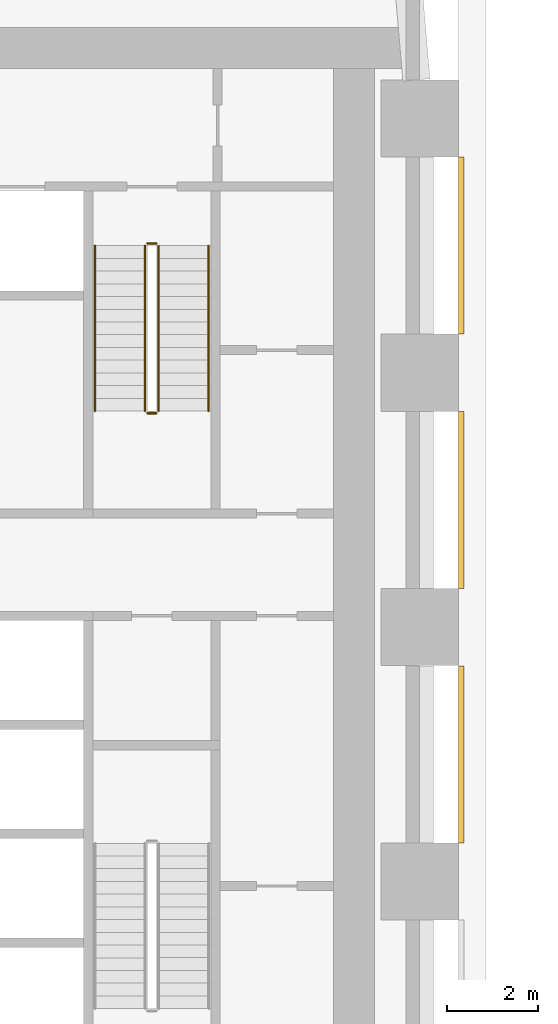
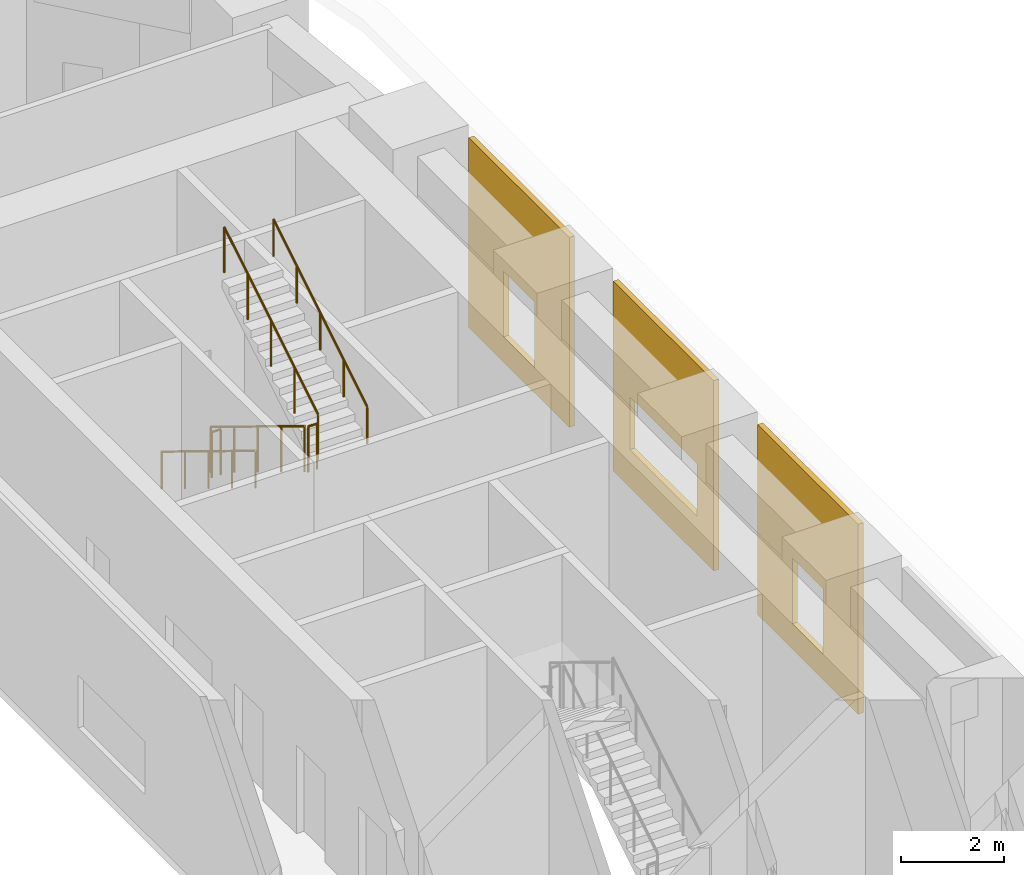
# One storey, part 34 of 35: 6 railings, 3 coverings.
"""IFC4 building model written with IfcOpenShell, lengths in metres."""

from ifc_helpers import new_model, si_unit, direction, frame, origin, origin_2d, place, context, subcontext, project, spatial, polyline, circle, outline, extrude, material, layer, layer_set, type_object, element, save


model = new_model("IFC4")

# Units and contexts
model_context = context("Model", 3, precision=1e-05, world=origin(), true_north=direction((0.0, 1.0)))
body_context = subcontext(model_context, "Body", "Model", "MODEL_VIEW")
ifc_project = project(units=[si_unit("LENGTHUNIT", "METRE"), si_unit("AREAUNIT", "SQUARE_METRE"), si_unit("VOLUMEUNIT", "CUBIC_METRE"), si_unit("PLANEANGLEUNIT", "RADIAN"), si_unit("MASSUNIT", "GRAM", prefix="KILO")], contexts=[model_context])

# Site, building, storey
site_placement = place(None, origin())
site = spatial("IfcSite", under=ifc_project, at=site_placement, CompositionType="ELEMENT")
building_placement = place(site_placement, origin())
building = spatial("IfcBuilding", under=site, at=building_placement, Name="Kiln Ring Residences", CompositionType="ELEMENT")
storey_placement = place(building_placement, frame((0.0, 0.0, 20.89990234375)))
storey = spatial("IfcBuildingStorey", under=building, at=storey_placement, Name="L04", CompositionType="ELEMENT", Elevation=20.89990234375)

# Railings
ifc_material_1 = material(Name="Stainless steel", Category="steel")
railing_type_1 = type_object("IfcRailingType", Name="CORE-STAIR-GUARD", PredefinedType="GUARDRAIL", material=ifc_material_1)
railing_1_placement = place(storey_placement, frame((21.949951171875, 8.39990234375, 0.171630859375)))
element("IfcRailing", 1, at=railing_1_placement, inside=storey, type_object=railing_type_1, Name="L04 E-STN stair guard 1", PredefinedType="GUARDRAIL", context=body_context, shape_type="SweptSolid", body=[
    extrude(circle(Radius=0.02392578125, at=origin_2d()), frame((0.0, 0.0, 1.076171875), z_axis=(0.0, -0.852850264322, 0.5221555579), x_axis=(1.0, 0.0, 0.0)), (0.0, 0.0, 1.0), 4.267822265625),
    extrude(circle(Radius=0.02099609375, at=origin_2d()), origin(), (0.0, 0.0, 1.0), 1.052001953125),
    extrude(circle(Radius=0.02099609375, at=origin_2d()), frame((0.0, -0.909912109375, 0.55712890625)), (0.0, 0.0, 1.0), 1.052001953125),
    extrude(circle(Radius=0.02099609375, at=origin_2d()), frame((0.0, -1.81982421875, 1.1142578125)), (0.0, 0.0, 1.0), 1.052001953125),
    extrude(circle(Radius=0.02099609375, at=origin_2d()), frame((0.0, -2.72998046875, 1.67138671875)), (0.0, 0.0, 1.0), 1.052001953125),
    extrude(circle(Radius=0.02099609375, at=origin_2d()), frame((0.0, -3.639892578125, 2.228515625)), (0.0, 0.0, 1.0), 1.052001953125),
])
railing_2_placement = place(storey_placement, frame((22.0, 4.7099609375, 2.400146484375)))
element("IfcRailing", 2, at=railing_2_placement, inside=storey, type_object=railing_type_1, Name="L04 E-STN stair guard 2", PredefinedType="GUARDRAIL", context=body_context, shape_type="SweptSolid", body=[
    extrude(circle(Radius=0.02392578125, at=origin_2d()), frame((0.0, 0.0, 1.076171875), z_axis=(1.0, 0.0, 0.0), x_axis=(0.0, 1.0, 0.0)), (0.0, 0.0, 1.0), 0.199951171875),
    extrude(circle(Radius=0.02099609375, at=origin_2d()), origin(), (0.0, 0.0, 1.0), 1.052001953125),
    extrude(circle(Radius=0.02099609375, at=origin_2d()), frame((0.199951171875, 0.0, 0.0)), (0.0, 0.0, 1.0), 1.052001953125),
])
railing_3_placement = place(storey_placement, frame((22.25, 4.760009765625, 2.571533203125)))
element("IfcRailing", 3, at=railing_3_placement, inside=storey, type_object=railing_type_1, Name="L04 E-STN stair guard 3", PredefinedType="GUARDRAIL", context=body_context, shape_type="SweptSolid", body=[
    extrude(circle(Radius=0.02392578125, at=origin_2d()), frame((0.0, 0.0, 1.076171875), z_axis=(0.0, 0.852850264322, 0.5221555579), x_axis=(-1.0, 0.0, 0.0)), (0.0, 0.0, 1.0), 4.267822265625),
    extrude(circle(Radius=0.02099609375, at=origin_2d()), origin(), (0.0, 0.0, 1.0), 1.052001953125),
    extrude(circle(Radius=0.02099609375, at=origin_2d()), frame((0.0, 0.909912109375, 0.55712890625)), (0.0, 0.0, 1.0), 1.052001953125),
    extrude(circle(Radius=0.02099609375, at=origin_2d()), frame((0.0, 1.81982421875, 1.1142578125)), (0.0, 0.0, 1.0), 1.052001953125),
    extrude(circle(Radius=0.02099609375, at=origin_2d()), frame((0.0, 2.72998046875, 1.67138671875)), (0.0, 0.0, 1.0), 1.052001953125),
    extrude(circle(Radius=0.02099609375, at=origin_2d()), frame((0.0, 3.639892578125, 2.228515625)), (0.0, 0.0, 1.0), 1.052001953125),
])
railing_4_placement = place(storey_placement, frame((22.0, 8.449951171875, 0.0)))
element("IfcRailing", 4, at=railing_4_placement, inside=storey, type_object=railing_type_1, Name="L04 E-STN stair guard 4", PredefinedType="GUARDRAIL", context=body_context, shape_type="SweptSolid", body=[
    extrude(circle(Radius=0.02392578125, at=origin_2d()), frame((0.0, 0.0, 1.076171875), z_axis=(1.0, 0.0, 0.0), x_axis=(0.0, 1.0, 0.0)), (0.0, 0.0, 1.0), 0.199951171875),
    extrude(circle(Radius=0.02099609375, at=origin_2d()), origin(), (0.0, 0.0, 1.0), 1.052001953125),
    extrude(circle(Radius=0.02099609375, at=origin_2d()), frame((0.199951171875, 0.0, 0.0)), (0.0, 0.0, 1.0), 1.052001953125),
])
ifc_material_2 = material(Name="Stainless steel", Category="steel")
railing_type_2 = type_object("IfcRailingType", Name="CORE-STAIR-HANDRAIL", PredefinedType="HANDRAIL", material=ifc_material_2)
railing_5_placement = place(storey_placement, frame((20.85009765625, 8.39990234375, 0.171630859375)))
element("IfcRailing", 5, at=railing_5_placement, inside=storey, type_object=railing_type_2, Name="L04 E-STN stair handrail 1", PredefinedType="HANDRAIL", context=body_context, shape_type="SweptSolid", body=[
    extrude(circle(Radius=0.02392578125, at=origin_2d()), frame((0.0, 0.0, 0.8759765625), z_axis=(0.0, -0.852850264322, 0.5221555579), x_axis=(1.0, 0.0, 0.0)), (0.0, 0.0, 1.0), 4.267822265625),
    extrude(circle(Radius=0.02099609375, at=origin_2d()), origin(), (0.0, 0.0, 1.0), 0.851806640625),
    extrude(circle(Radius=0.02099609375, at=origin_2d()), frame((0.0, -0.909912109375, 0.55712890625)), (0.0, 0.0, 1.0), 0.851806640625),
    extrude(circle(Radius=0.02099609375, at=origin_2d()), frame((0.0, -1.81982421875, 1.1142578125)), (0.0, 0.0, 1.0), 0.851806640625),
    extrude(circle(Radius=0.02099609375, at=origin_2d()), frame((0.0, -2.72998046875, 1.67138671875)), (0.0, 0.0, 1.0), 0.851806640625),
    extrude(circle(Radius=0.02099609375, at=origin_2d()), frame((0.0, -3.639892578125, 2.228515625)), (0.0, 0.0, 1.0), 0.851806640625),
])
railing_6_placement = place(storey_placement, frame((23.35009765625, 4.760009765625, 2.571533203125)))
element("IfcRailing", 6, at=railing_6_placement, inside=storey, type_object=railing_type_2, Name="L04 E-STN stair handrail 2", PredefinedType="HANDRAIL", context=body_context, shape_type="SweptSolid", body=[
    extrude(circle(Radius=0.02392578125, at=origin_2d()), frame((0.0, 0.0, 0.8759765625), z_axis=(0.0, 0.852850264322, 0.5221555579), x_axis=(-1.0, 0.0, 0.0)), (0.0, 0.0, 1.0), 4.267822265625),
    extrude(circle(Radius=0.02099609375, at=origin_2d()), origin(), (0.0, 0.0, 1.0), 0.851806640625),
    extrude(circle(Radius=0.02099609375, at=origin_2d()), frame((0.0, 0.909912109375, 0.55712890625)), (0.0, 0.0, 1.0), 0.851806640625),
    extrude(circle(Radius=0.02099609375, at=origin_2d()), frame((0.0, 1.81982421875, 1.1142578125)), (0.0, 0.0, 1.0), 0.851806640625),
    extrude(circle(Radius=0.02099609375, at=origin_2d()), frame((0.0, 2.72998046875, 1.67138671875)), (0.0, 0.0, 1.0), 0.851806640625),
    extrude(circle(Radius=0.02099609375, at=origin_2d()), frame((0.0, 3.639892578125, 2.228515625)), (0.0, 0.0, 1.0), 0.851806640625),
])

# Coverings
ifc_material_3 = material(Name="Brick masonry, dark clay brick", Category="masonry")
ifc_layer = layer(ifc_material_3, 0.1201171875)
ifc_layer_set = layer_set([ifc_layer], Name="RAINSCREEN PANEL 120")
covering_type = type_object("IfcCoveringType", Name="RAINSCREEN PANEL 120", PredefinedType="CLADDING", material=ifc_layer_set)
covering_1_placement = place(storey_placement, frame((28.909912109375, -4.75, 0.0), z_axis=(0.0, 0.0, 1.0), x_axis=(0.0, 1.0, 0.0)))
element("IfcCovering", 7, at=covering_1_placement, inside=storey, type_object=covering_type, Name="RAINSCREEN L04", PredefinedType="CLADDING", context=body_context, shape_type="SweptSolid", body=[
    extrude(outline(polyline([(0.0, 0.0), (3.89990234375, 0.0), (3.89990234375, 4.5), (0.0, 4.5), (0.0, 0.0)]), holes=[polyline([(1.35009765625, 2.150146484375), (1.35009765625, 0.60009765625), (2.550048828125, 0.60009765625), (2.550048828125, 2.150146484375), (1.35009765625, 2.150146484375)])]), frame((0.0, 0.06005859375, 0.0), z_axis=(0.0, -1.0, 0.0), x_axis=(1.0, 0.0, 0.0)), (0.0, 0.0, 1.0), 0.1201171875),
])
covering_2_placement = place(storey_placement, frame((28.909912109375, 0.85009765625, 0.0), z_axis=(0.0, 0.0, 1.0), x_axis=(0.0, 1.0, 0.0)))
element("IfcCovering", 8, at=covering_2_placement, inside=storey, type_object=covering_type, Name="RAINSCREEN L04", PredefinedType="CLADDING", context=body_context, shape_type="SweptSolid", body=[
    extrude(outline(polyline([(0.0, 0.0), (3.89990234375, 0.0), (3.89990234375, 4.5), (0.0, 4.5), (0.0, 0.0)]), holes=[polyline([(0.64990234375, 2.150146484375), (0.64990234375, 0.900146484375), (3.25, 0.900146484375), (3.25, 2.150146484375), (0.64990234375, 2.150146484375)])]), frame((0.0, 0.06005859375, 0.0), z_axis=(0.0, -1.0, 0.0), x_axis=(1.0, 0.0, 0.0)), (0.0, 0.0, 1.0), 0.1201171875),
])
covering_3_placement = place(storey_placement, frame((28.909912109375, 6.449951171875, 0.0), z_axis=(0.0, 0.0, 1.0), x_axis=(0.0, 1.0, 0.0)))
element("IfcCovering", 9, at=covering_3_placement, inside=storey, type_object=covering_type, Name="RAINSCREEN L04", PredefinedType="CLADDING", context=body_context, shape_type="SweptSolid", body=[
    extrude(outline(polyline([(0.0, 0.0), (3.89990234375, 0.0), (3.89990234375, 4.5), (0.0, 4.5), (0.0, 0.0)]), holes=[polyline([(1.35009765625, 2.150146484375), (1.35009765625, 0.60009765625), (2.550048828125, 0.60009765625), (2.550048828125, 2.150146484375), (1.35009765625, 2.150146484375)])]), frame((0.0, 0.06005859375, 0.0), z_axis=(0.0, -1.0, 0.0), x_axis=(1.0, 0.0, 0.0)), (0.0, 0.0, 1.0), 0.1201171875),
])

save(model, "model.ifc")
